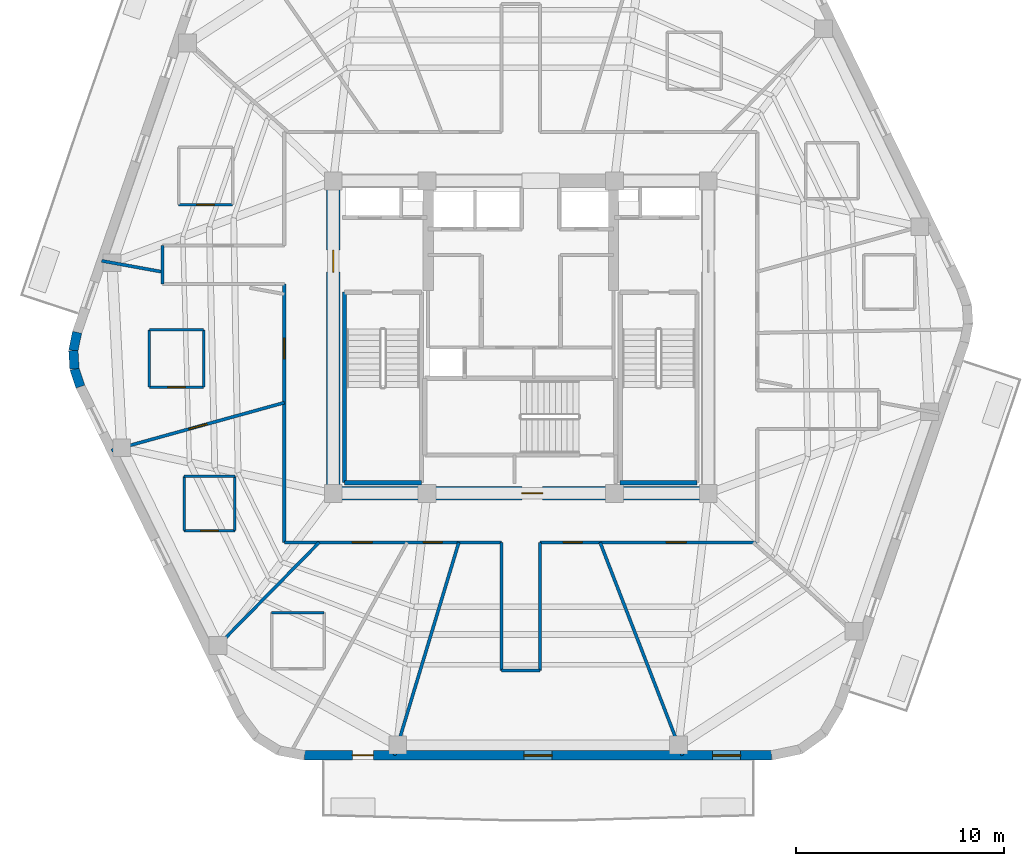
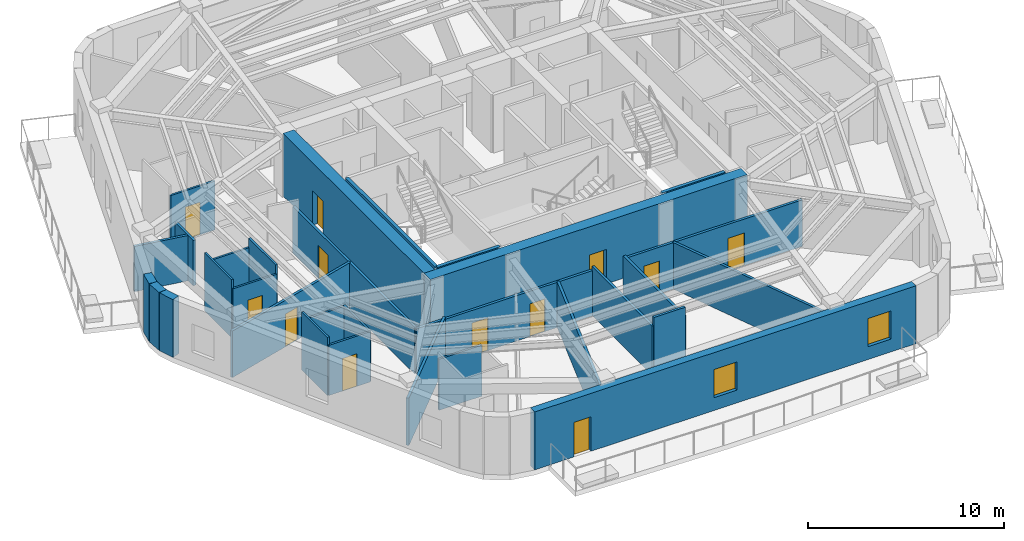
# One storey, part 3 of 9: 31 walls, 12 doors, 2 windows, 14 openings.
"""IFC4 building model written with IfcOpenShell, lengths in metres."""

import ifcopenshell
import ifcopenshell.guid

model = None  # the IFC model being written
_history = None  # IfcOwnerHistory: only IFC2X3 demands one
_inside = {}  # id of a spatial element -> (the spatial element, [elements in it])
_under = {}  # id of a project, library or spatial element -> (it, [spatial elements below it])
_declared = {}  # id of a project -> (the project, [libraries it declares])
_typed = {}  # id of a type object -> (the type object, [elements of that type])
_made_of = {}  # id of a material, layer set ... -> (it, [elements and type objects made of it])


def new_model(schema):
    """Start an empty IFC model of exactly this schema.

    Asked for "IFC4X3", IfcOpenShell would pick the latest addendum, in which some entities
    have other attributes; the version numbers below select the first issue.
    IFC2X3 requires an IfcOwnerHistory on every rooted entity: one is made here for all.
    """
    global model, _history
    if schema == "IFC4X3":
        model = ifcopenshell.file(schema_version=(4, 3, 0, 0))
    else:
        model = ifcopenshell.file(schema=schema)
    _inside.clear()
    _under.clear()
    _declared.clear()
    _typed.clear()
    _made_of.clear()
    _history = None
    if model.schema == "IFC2X3":
        org = make("IfcOrganization", Name="unknown")
        user = make(
            "IfcPersonAndOrganization",
            ThePerson=make("IfcPerson", FamilyName="unknown"),
            TheOrganization=org,
        )
        app = make(
            "IfcApplication",
            ApplicationDeveloper=org,
            Version="unknown",
            ApplicationFullName="unknown",
            ApplicationIdentifier="unknown",
        )
        _history = make(
            "IfcOwnerHistory",
            OwningUser=user,
            OwningApplication=app,
            ChangeAction="ADDED",
            CreationDate=0,
        )
    return model


def make(cls, **values):
    """One entity of the class cls with the attributes given. An attribute that is None is left unset."""
    return model.create_entity(
        cls, **{name: value for name, value in values.items() if value is not None}
    )


def rooted(cls, **values):
    """An entity with a GlobalId (a new one), such as an element, a storey or a relation."""
    return make(cls, GlobalId=ifcopenshell.guid.new(), OwnerHistory=_history, **values)


def si_unit(unit_type, name, prefix=None):
    """IfcSIUnit, for example si_unit("LENGTHUNIT", "METRE", prefix="MILLI")."""
    return make("IfcSIUnit", UnitType=unit_type, Prefix=prefix, Name=name)


def assignment(units):
    """IfcUnitAssignment: the units of a project."""
    return None if units is None else make("IfcUnitAssignment", Units=units)


def point(xyz):
    """IfcCartesianPoint."""
    return None if xyz is None else make("IfcCartesianPoint", Coordinates=xyz)


def direction(xyz):
    """IfcDirection."""
    return None if xyz is None else make("IfcDirection", DirectionRatios=xyz)


def frame(location, z_axis=None, x_axis=None):
    """IfcAxis2Placement3D, a coordinate frame: its origin and axes. An axis left out is left unset."""
    return make(
        "IfcAxis2Placement3D",
        Location=point(location),
        Axis=direction(z_axis),
        RefDirection=direction(x_axis),
    )


def frame_2d(location, x_axis=None):
    """IfcAxis2Placement2D, a coordinate frame in the plane: its origin and x axis."""
    return make(
        "IfcAxis2Placement2D", Location=point(location), RefDirection=direction(x_axis)
    )


def origin():
    """The frame at (0, 0, 0) with its axes left unset."""
    return frame((0.0, 0.0, 0.0))


def place(relative_to, where):
    """IfcLocalPlacement: puts the frame where relative to a parent placement (None: the world)."""
    return make(
        "IfcLocalPlacement", PlacementRelTo=relative_to, RelativePlacement=where
    )


def context(
    kind, dimensions, precision=None, world=None, true_north=None, identifier=None
):
    """IfcGeometricRepresentationContext, for example the 3D "Model" context."""
    return make(
        "IfcGeometricRepresentationContext",
        ContextIdentifier=identifier,
        ContextType=kind,
        CoordinateSpaceDimension=dimensions,
        Precision=precision,
        WorldCoordinateSystem=world,
        TrueNorth=true_north,
    )


def subcontext(parent, identifier, kind, view, scale=None):
    """IfcGeometricRepresentationSubContext, for example "Body" below "Model"."""
    return make(
        "IfcGeometricRepresentationSubContext",
        ContextIdentifier=identifier,
        ContextType=kind,
        ParentContext=parent,
        TargetScale=scale,
        TargetView=view,
    )


def project(units=None, contexts=None):
    """IfcProject with its units and contexts."""
    return rooted(
        "IfcProject",
        Name="project",
        RepresentationContexts=contexts,
        UnitsInContext=assignment(units),
    )


def spatial(cls, under=None, at=None, **own):
    """A site, building, storey or space (cls), placed at a placement, below another one or the project."""
    s = rooted(cls, ObjectPlacement=at, **own)
    if under is not None:
        _under.setdefault(under.id(), (under, []))[1].append(s)
    return s


def profile(cls, at=None, kind="AREA", **sizes):
    """A parametric profile (cls). Its sizes go by their IFC names, for example OverallWidth=200.0."""
    return make(cls, ProfileType=kind, Position=at, **sizes)


def rectangle(**sizes):
    """IfcRectangleProfileDef."""
    return profile("IfcRectangleProfileDef", **sizes)


def extrude(swept, where, along, depth):
    """IfcExtrudedAreaSolid: the profile swept, set in the frame where, extruded along a direction by depth."""
    return make(
        "IfcExtrudedAreaSolid",
        SweptArea=swept,
        Position=where,
        ExtrudedDirection=direction(along),
        Depth=depth,
    )


def shape(context_of_items, identifier, shape_type, items):
    """IfcShapeRepresentation: the items that make up one representation, for example the "Body"."""
    return make(
        "IfcShapeRepresentation",
        ContextOfItems=context_of_items,
        RepresentationIdentifier=identifier,
        RepresentationType=shape_type,
        Items=items,
    )


def material(Name=None, Category=None):
    """IfcMaterial."""
    return make("IfcMaterial", Name=Name, Category=Category)


def layer(
    of_material, thickness, ventilated=None, Name=None, Category=None, Priority=None
):
    """IfcMaterialLayer: one layer of a wall or slab, of a material (None: an air gap)."""
    return make(
        "IfcMaterialLayer",
        Material=of_material,
        LayerThickness=thickness,
        IsVentilated=ventilated,
        Name=Name,
        Category=Category,
        Priority=Priority,
    )


def layer_set(layers, Name=None):
    """IfcMaterialLayerSet."""
    return make("IfcMaterialLayerSet", MaterialLayers=layers, LayerSetName=Name)


def made_of(thing, what):
    """Note that an element or type object is made of a material, layer set ...; save() writes the relation."""
    if what is not None:
        _made_of.setdefault(what.id(), (what, []))[1].append(thing)
    return thing


def type_object(cls, material=None, **own):
    """A type object (cls), such as IfcWallType, which elements share."""
    return made_of(rooted(cls, **own), material)


def element(
    cls,
    number,
    at=None,
    inside=None,
    cuts=None,
    type_object=None,
    material=None,
    context=None,
    identifier="Body",
    shape_type=None,
    held_by="IfcProductDefinitionShape",
    body=None,
    shapes=None,
    **own,
):
    """One element of the class cls, such as IfcWall. Its Tag is "e" and its number.

    at: its placement. inside: the storey or other place that contains it. cuts: it is an
    opening in that element (IfcRelVoidsElement). A single representation is given by context,
    identifier, shape_type and body (its items); several are given by shapes. held_by: the class
    of the entity that holds the representations. save() writes the other relations.
    """
    e = rooted(cls, Tag="e%d" % number, ObjectPlacement=at, **own)
    if body is not None:
        shapes = [shape(context, identifier, shape_type, body)]
    if shapes is not None:
        e.Representation = make(held_by, Representations=shapes)
    if inside is not None:
        _inside.setdefault(inside.id(), (inside, []))[1].append(e)
    if cuts is not None:
        rooted(
            "IfcRelVoidsElement", RelatingBuildingElement=cuts, RelatedOpeningElement=e
        )
    if type_object is not None:
        _typed.setdefault(type_object.id(), (type_object, []))[1].append(e)
    return made_of(e, material)


def fill(opening, filler):
    """IfcRelFillsElement: the door or window that sits in an opening."""
    return rooted(
        "IfcRelFillsElement",
        RelatingOpeningElement=opening,
        RelatedBuildingElement=filler,
    )


def aggregate(whole, parts):
    """IfcRelAggregates: a whole, such as a stair, and the parts it consists of."""
    return rooted("IfcRelAggregates", RelatingObject=whole, RelatedObjects=parts)


def save(model, path):
    """Write the relations noted so far, then the file.

    IfcRelAggregates (storeys below a building ...), IfcRelContainedInSpatialStructure (elements
    in a storey), IfcRelDefinesByType, IfcRelAssociatesMaterial and IfcRelDeclares: one each for
    every whole, place, type object, material and project.
    """
    for whole, parts in _under.values():
        aggregate(whole, parts)
    for where, things in _inside.values():
        rooted(
            "IfcRelContainedInSpatialStructure",
            RelatedElements=things,
            RelatingStructure=where,
        )
    for kind, things in _typed.values():
        rooted("IfcRelDefinesByType", RelatedObjects=things, RelatingType=kind)
    for what, things in _made_of.values():
        rooted("IfcRelAssociatesMaterial", RelatedObjects=things, RelatingMaterial=what)
    for by, libraries in _declared.values():
        rooted("IfcRelDeclares", RelatingContext=by, RelatedDefinitions=libraries)
    model.write(path)


model = new_model("IFC4")

# Units and contexts
model_context = context("Model", 3, precision=1e-05, world=origin(), true_north=direction((0.0, 1.0)))
body_context = subcontext(model_context, "Body", "Model", "MODEL_VIEW")
ifc_project = project(units=[si_unit("LENGTHUNIT", "METRE"), si_unit("AREAUNIT", "SQUARE_METRE"), si_unit("VOLUMEUNIT", "CUBIC_METRE"), si_unit("PLANEANGLEUNIT", "RADIAN"), si_unit("MASSUNIT", "GRAM", prefix="KILO")], contexts=[model_context])

# Site, building, storey
site_placement = place(None, origin())
site = spatial("IfcSite", under=ifc_project, at=site_placement, CompositionType="ELEMENT")
building_placement = place(site_placement, origin())
building = spatial("IfcBuilding", under=site, at=building_placement, Name="Kilnhurst Terrace Hotel", CompositionType="ELEMENT")
storey_placement = place(building_placement, frame((0.0, 0.0, 297.60009765625)))
storey = spatial("IfcBuildingStorey", under=building, at=storey_placement, Name="L74", CompositionType="ELEMENT", Elevation=297.60009765625)

# Walls
ifc_material_1 = material(Name="Precast concrete C40/50", Category="concrete")
ifc_layer_1 = layer(ifc_material_1, 0.449951171875, Name="Precast concrete C40/50")
ifc_layer_set_1 = layer_set([ifc_layer_1], Name="Precast concrete C40/50")
wall_type_1 = type_object("IfcWallType", Name="WL-BRK-450", PredefinedType="SOLIDWALL", material=ifc_layer_set_1)
wall_1_placement = place(storey_placement, frame((-21.297607421875, 0.2333984375, 0.0), z_axis=(0.0, 0.0, 1.0), x_axis=(-0.199158176661, -0.979967356941, 0.0)))
element("IfcWall", 1, at=wall_1_placement, inside=storey, type_object=wall_type_1, Name="L74 Rounded Corner Brick Wall C6.1", PredefinedType="SOLIDWALL", context=body_context, shape_type="SweptSolid", body=[
    extrude(rectangle(XDim=0.894775390625, YDim=0.449951171875, at=frame_2d((0.447265625, 0.0))), origin(), (0.0, 0.0, 1.0), 3.599853515625),
])
wall_2_placement = place(storey_placement, frame((-21.475830078125, -0.6435546875, 0.0), z_axis=(0.0, 0.0, 1.0), x_axis=(0.061031097918, -0.998135865044, 0.0)))
element("IfcWall", 2, at=wall_2_placement, inside=storey, type_object=wall_type_1, Name="L74 Rounded Corner Brick Wall C6.2", PredefinedType="SOLIDWALL", context=body_context, shape_type="SweptSolid", body=[
    extrude(rectangle(XDim=0.880126953125, YDim=0.449951171875, at=frame_2d((0.43994140625, 0.0))), origin(), (0.0, 0.0, 1.0), 3.599853515625),
])
wall_3_placement = place(storey_placement, frame((-21.422119140625, -1.52197265625, 0.0), z_axis=(0.0, 0.0, 1.0), x_axis=(0.316964162323, -0.94843751497, 0.0)))
element("IfcWall", 3, at=wall_3_placement, inside=storey, type_object=wall_type_1, Name="L74 Rounded Corner Brick Wall C6.3", PredefinedType="SOLIDWALL", context=body_context, shape_type="SweptSolid", body=[
    extrude(rectangle(XDim=0.89501953125, YDim=0.449951171875, at=frame_2d((0.447509765625, 0.0))), origin(), (0.0, 0.0, 1.0), 3.599853515625),
])

# Wall, openings, door, windows
wall_4_placement = place(storey_placement, frame((-10.37890625, -20.074951171875, 0.0), z_axis=(0.0, 0.0, 1.0), x_axis=(1.0, 0.0, 0.0)))
wall_4 = element("IfcWall", 4, at=wall_4_placement, inside=storey, type_object=wall_type_1, Name="L74 Exterior Brick Facade Wall F1", PredefinedType="SOLIDWALL", context=body_context, shape_type="SweptSolid", body=[
    extrude(rectangle(XDim=22.417236328125, YDim=0.449951171875, at=frame_2d((11.20849609375, 0.0))), origin(), (0.0, 0.0, 1.0), 3.599853515625),
])
opening_1_placement = place(wall_4_placement, frame((2.302001953125, 0.0, 0.0)))
opening_1 = element("IfcOpeningElement", 5, at=opening_1_placement, cuts=wall_4, Name="Opening BD-1000", PredefinedType="OPENING", context=body_context, shape_type="SweptSolid", body=[
    extrude(rectangle(XDim=1.0, YDim=2.14990234375, at=frame_2d((0.5, 1.074951171875))), frame((0.0, 0.23486328125, 0.0), z_axis=(0.0, -1.0, 0.0), x_axis=(1.0, 0.0, 0.0)), (0.0, 0.0, 1.0), 0.469970703125),
])
opening_2_placement = place(wall_4_placement, frame((10.533935546875, 0.0, 0.800048828125)))
opening_2 = element("IfcOpeningElement", 6, at=opening_2_placement, cuts=wall_4, Name="Opening W-06", PredefinedType="OPENING", context=body_context, shape_type="SweptSolid", body=[
    extrude(rectangle(XDim=1.35009765625, YDim=1.75, at=frame_2d((0.675048828125, 0.875))), frame((0.0, 0.23486328125, 0.0), z_axis=(0.0, -1.0, 0.0), x_axis=(1.0, 0.0, 0.0)), (0.0, 0.0, 1.0), 0.469970703125),
])
opening_3_placement = place(wall_4_placement, frame((19.5869140625, 0.0, 0.800048828125)))
opening_3 = element("IfcOpeningElement", 7, at=opening_3_placement, cuts=wall_4, Name="Opening W-06", PredefinedType="OPENING", context=body_context, shape_type="SweptSolid", body=[
    extrude(rectangle(XDim=1.35009765625, YDim=1.75, at=frame_2d((0.675048828125, 0.875))), frame((0.0, 0.23486328125, 0.0), z_axis=(0.0, -1.0, 0.0), x_axis=(1.0, 0.0, 0.0)), (0.0, 0.0, 1.0), 0.469970703125),
])
ifc_material_2 = material(Name="Thermally Broken Bronze Aluminium Alloy 6063-T6 and Laminated Glass", Category="aluminium")
door_type_1 = type_object("IfcDoorType", Name="DR-EXT-BAL-1000", OperationType="NOTDEFINED", PredefinedType="DOOR", material=ifc_material_2)
door_1_placement = place(opening_1_placement, origin())
door_1 = element("IfcDoor", 8, at=door_1_placement, inside=storey, type_object=door_type_1, Name="L74 Planted Balcony Door BAL-L1A", OperationType="SINGLE_SWING_LEFT", OverallHeight=2.14990234375, OverallWidth=1.0, PredefinedType="DOOR", context=body_context, shape_type="SweptSolid", body=[
    extrude(rectangle(XDim=1.0, YDim=2.14990234375, at=frame_2d((0.5, 1.074951171875))), frame((0.0, 0.02490234375, 0.0), z_axis=(0.0, -1.0, 0.0), x_axis=(1.0, 0.0, 0.0)), (0.0, 0.0, 1.0), 0.050048828125),
])
fill(opening_1, door_1)
ifc_material_3 = material(Name="Thermally Broken Bronze Aluminium Alloy 6063-T6 and Low-E Glass", Category="aluminium")
window_type = type_object("IfcWindowType", Name="WIN-1350X1750", PartitioningType="SINGLE_PANEL", PredefinedType="WINDOW", material=ifc_material_3)
window_1_placement = place(opening_2_placement, origin())
window_1 = element("IfcWindow", 9, at=window_1_placement, inside=storey, type_object=window_type, Name="L74 Deep-Set Masonry Window F1.1", OverallHeight=1.75, OverallWidth=1.35009765625, PartitioningType="SINGLE_PANEL", PredefinedType="WINDOW", context=body_context, shape_type="SweptSolid", body=[
    extrude(rectangle(XDim=1.35009765625, YDim=1.75, at=frame_2d((0.675048828125, 0.875))), frame((0.0, 0.030029296875, 0.0), z_axis=(0.0, -1.0, 0.0), x_axis=(1.0, 0.0, 0.0)), (0.0, 0.0, 1.0), 0.06005859375),
])
fill(opening_2, window_1)
window_2_placement = place(opening_3_placement, origin())
window_2 = element("IfcWindow", 10, at=window_2_placement, inside=storey, type_object=window_type, Name="L74 Deep-Set Masonry Window F1.2", OverallHeight=1.75, OverallWidth=1.35009765625, PartitioningType="SINGLE_PANEL", PredefinedType="WINDOW", context=body_context, shape_type="SweptSolid", body=[
    extrude(rectangle(XDim=1.35009765625, YDim=1.75, at=frame_2d((0.675048828125, 0.875))), frame((0.0, 0.030029296875, 0.0), z_axis=(0.0, -1.0, 0.0), x_axis=(1.0, 0.0, 0.0)), (0.0, 0.0, 1.0), 0.06005859375),
])
fill(opening_3, window_2)

# Wall, opening, door
ifc_material_4 = material(Name="Acoustic Double-Gypsum Corridor Partition Assembly")
ifc_layer_2 = layer(ifc_material_4, 0.14990234375, Name="Acoustic Double-Gypsum Corridor Partition Assembly")
ifc_layer_set_2 = layer_set([ifc_layer_2], Name="Acoustic Double-Gypsum Corridor Partition Assembly")
wall_type_2 = type_object("IfcWallType", Name="WL-COR-150", PredefinedType="PARTITIONING", material=ifc_layer_set_2)
wall_5_placement = place(storey_placement, frame((-11.35009765625, -9.85009765625, 0.0), z_axis=(0.0, 0.0, 1.0), x_axis=(0.0, 1.0, 0.0)))
wall_5 = element("IfcWall", 11, at=wall_5_placement, inside=storey, type_object=wall_type_2, Name="L74 Interior Wall WL-L74-COR-01", PredefinedType="PARTITIONING", context=body_context, shape_type="SweptSolid", body=[
    extrude(rectangle(XDim=12.400146484375, YDim=0.14990234375, at=frame_2d((6.2001953125, 0.0))), origin(), (0.0, 0.0, 1.0), 2.89404296875),
])
opening_4_placement = place(wall_5_placement, frame((8.81005859375, 0.0, 0.0)))
opening_4 = element("IfcOpeningElement", 12, at=opening_4_placement, cuts=wall_5, Name="Opening D-60A", PredefinedType="OPENING", context=body_context, shape_type="SweptSolid", body=[
    extrude(rectangle(XDim=1.0, YDim=2.030029296875, at=frame_2d((0.5, 1.01513671875))), frame((0.0, 0.0849609375, 0.0), z_axis=(0.0, -1.0, 0.0), x_axis=(1.0, 0.0, 0.0)), (0.0, 0.0, 1.0), 0.169921875),
])
ifc_material_5 = material(Name="Acoustic Walnut Veneer Solid-Core Fire Door")
door_type_2 = type_object("IfcDoorType", Name="DR-FD60-1000", OperationType="NOTDEFINED", PredefinedType="DOOR", material=ifc_material_5)
door_2_placement = place(opening_4_placement, origin())
door_2 = element("IfcDoor", 13, at=door_2_placement, inside=storey, type_object=door_type_2, Name="L74 Sky Residence Entry Door 8", OperationType="SINGLE_SWING_RIGHT", OverallHeight=2.030029296875, OverallWidth=1.0, PredefinedType="DOOR", context=body_context, shape_type="SweptSolid", body=[
    extrude(rectangle(XDim=1.0, YDim=2.030029296875, at=frame_2d((0.5, 1.01513671875))), frame((0.0, 0.02490234375, 0.0), z_axis=(0.0, -1.0, 0.0), x_axis=(1.0, 0.0, 0.0)), (0.0, 0.0, 1.0), 0.050048828125),
])
fill(opening_4, door_2)

# Wall
wall_6_placement = place(storey_placement, frame((-17.199951171875, 2.550048828125, 0.0), z_axis=(0.0, 0.0, 1.0), x_axis=(0.0, 1.0, 0.0)))
element("IfcWall", 14, at=wall_6_placement, inside=storey, type_object=wall_type_2, Name="L74 Interior Wall WL-L74-COR-03", PredefinedType="PARTITIONING", context=body_context, shape_type="SweptSolid", body=[
    extrude(rectangle(XDim=1.849853515625, YDim=0.14990234375, at=frame_2d((0.9248046875, 0.0))), origin(), (0.0, 0.0, 1.0), 2.81640625),
])

# Wall, openings, doors
wall_7_placement = place(storey_placement, frame((11.35009765625, -9.85009765625, 0.0), z_axis=(0.0, 0.0, 1.0), x_axis=(-1.0, 0.0, 0.0)))
wall_7 = element("IfcWall", 15, at=wall_7_placement, inside=storey, type_object=wall_type_2, Name="L74 Interior Wall WL-L74-COR-16", PredefinedType="PARTITIONING", context=body_context, shape_type="SweptSolid", body=[
    extrude(rectangle(XDim=10.43017578125, YDim=0.14990234375, at=frame_2d((5.215087890625, 0.0))), origin(), (0.0, 0.0, 1.0), 2.89404296875),
])
opening_5_placement = place(wall_7_placement, frame((8.406982421875, 0.0, 0.0)))
opening_5 = element("IfcOpeningElement", 16, at=opening_5_placement, cuts=wall_7, Name="Opening D-60C", PredefinedType="OPENING", context=body_context, shape_type="SweptSolid", body=[
    extrude(rectangle(XDim=0.89990234375, YDim=2.030029296875, at=frame_2d((0.449951171875, 1.01513671875))), frame((0.0, 0.0849609375, 0.0), z_axis=(0.0, -1.0, 0.0), x_axis=(1.0, 0.0, 0.0)), (0.0, 0.0, 1.0), 0.169921875),
])
opening_6_placement = place(wall_7_placement, frame((3.416015625, 0.0, 0.0)))
opening_6 = element("IfcOpeningElement", 17, at=opening_6_placement, cuts=wall_7, Name="Opening D-60B", PredefinedType="OPENING", context=body_context, shape_type="SweptSolid", body=[
    extrude(rectangle(XDim=0.949951171875, YDim=2.030029296875, at=frame_2d((0.47509765625, 1.01513671875))), frame((0.0, 0.0849609375, 0.0), z_axis=(0.0, -1.0, 0.0), x_axis=(1.0, 0.0, 0.0)), (0.0, 0.0, 1.0), 0.169921875),
])
ifc_material_6 = material(Name="Painted Solid-Core Service Fire Door")
door_type_3 = type_object("IfcDoorType", Name="DR-FD60-900", OperationType="NOTDEFINED", PredefinedType="DOOR", material=ifc_material_6)
door_3_placement = place(opening_5_placement, origin())
door_3 = element("IfcDoor", 18, at=door_3_placement, inside=storey, type_object=door_type_3, Name="L74 Wellness Consultation Room Door 12", OperationType="SINGLE_SWING_RIGHT", OverallHeight=2.030029296875, OverallWidth=0.89990234375, PredefinedType="DOOR", context=body_context, shape_type="SweptSolid", body=[
    extrude(rectangle(XDim=0.89990234375, YDim=2.030029296875, at=frame_2d((0.449951171875, 1.01513671875))), frame((0.0, 0.02490234375, 0.0), z_axis=(0.0, -1.0, 0.0), x_axis=(1.0, 0.0, 0.0)), (0.0, 0.0, 1.0), 0.050048828125),
])
fill(opening_5, door_3)
door_type_4 = type_object("IfcDoorType", Name="DR-FD60-950", OperationType="NOTDEFINED", PredefinedType="DOOR", material=ifc_material_5)
door_4_placement = place(opening_6_placement, origin())
door_4 = element("IfcDoor", 19, at=door_4_placement, inside=storey, type_object=door_type_4, Name="L74 Summit Horizon Club Lounge Door", OperationType="SINGLE_SWING_LEFT", OverallHeight=2.030029296875, OverallWidth=0.949951171875, PredefinedType="DOOR", context=body_context, shape_type="SweptSolid", body=[
    extrude(rectangle(XDim=0.949951171875, YDim=2.030029296875, at=frame_2d((0.47509765625, 1.01513671875))), frame((0.0, 0.02490234375, 0.0), z_axis=(0.0, -1.0, 0.0), x_axis=(1.0, 0.0, 0.0)), (0.0, 0.0, 1.0), 0.050048828125),
])
fill(opening_6, door_4)

# Walls
wall_8_placement = place(storey_placement, frame((0.919921875, -9.85009765625, 0.0), z_axis=(0.0, 0.0, 1.0), x_axis=(0.0, -1.0, 0.0)))
element("IfcWall", 20, at=wall_8_placement, inside=storey, type_object=wall_type_2, Name="L74 Interior Wall WL-L74-COR-17", PredefinedType="PARTITIONING", context=body_context, shape_type="SweptSolid", body=[
    extrude(rectangle(XDim=6.14990234375, YDim=0.14990234375, at=frame_2d((3.074951171875, 0.0))), origin(), (0.0, 0.0, 1.0), 3.040283203125),
])
wall_9_placement = place(storey_placement, frame((0.919921875, -16.0, 0.0), z_axis=(0.0, 0.0, 1.0), x_axis=(-1.0, 0.0, 0.0)))
element("IfcWall", 21, at=wall_9_placement, inside=storey, type_object=wall_type_2, Name="L74 Interior Wall WL-L74-COR-18", PredefinedType="PARTITIONING", context=body_context, shape_type="SweptSolid", body=[
    extrude(rectangle(XDim=1.83984375, YDim=0.14990234375, at=frame_2d((0.919921875, 0.0))), origin(), (0.0, 0.0, 1.0), 3.599853515625),
])
wall_10_placement = place(storey_placement, frame((-0.919921875, -16.0, 0.0), z_axis=(0.0, 0.0, 1.0), x_axis=(0.0, 1.0, 0.0)))
element("IfcWall", 22, at=wall_10_placement, inside=storey, type_object=wall_type_2, Name="L74 Interior Wall WL-L74-COR-19", PredefinedType="PARTITIONING", context=body_context, shape_type="SweptSolid", body=[
    extrude(rectangle(XDim=6.14990234375, YDim=0.14990234375, at=frame_2d((3.074951171875, 0.0))), origin(), (0.0, 0.0, 1.0), 3.040283203125),
])

# Wall, openings, doors
wall_11_placement = place(storey_placement, frame((-0.919921875, -9.85009765625, 0.0), z_axis=(0.0, 0.0, 1.0), x_axis=(-1.0, 0.0, 0.0)))
wall_11 = element("IfcWall", 23, at=wall_11_placement, inside=storey, type_object=wall_type_2, Name="L74 Interior Wall WL-L74-COR-20", PredefinedType="PARTITIONING", context=body_context, shape_type="SweptSolid", body=[
    extrude(rectangle(XDim=10.43017578125, YDim=0.14990234375, at=frame_2d((5.215087890625, 0.0))), origin(), (0.0, 0.0, 1.0), 2.81640625),
])
opening_7_placement = place(wall_11_placement, frame((6.216064453125, 0.0, 0.0)))
opening_7 = element("IfcOpeningElement", 24, at=opening_7_placement, cuts=wall_11, Name="Opening D-60B", PredefinedType="OPENING", context=body_context, shape_type="SweptSolid", body=[
    extrude(rectangle(XDim=0.949951171875, YDim=2.030029296875, at=frame_2d((0.47509765625, 1.01513671875))), frame((0.0, 0.0849609375, 0.0), z_axis=(0.0, -1.0, 0.0), x_axis=(1.0, 0.0, 0.0)), (0.0, 0.0, 1.0), 0.169921875),
])
opening_8_placement = place(wall_11_placement, frame((2.860107421875, 0.0, 0.0)))
opening_8 = element("IfcOpeningElement", 25, at=opening_8_placement, cuts=wall_11, Name="Opening D-60C", PredefinedType="OPENING", context=body_context, shape_type="SweptSolid", body=[
    extrude(rectangle(XDim=0.89990234375, YDim=2.030029296875, at=frame_2d((0.449951171875, 1.01513671875))), frame((0.0, 0.0849609375, 0.0), z_axis=(0.0, -1.0, 0.0), x_axis=(1.0, 0.0, 0.0)), (0.0, 0.0, 1.0), 0.169921875),
])
door_5_placement = place(opening_8_placement, origin())
door_5 = element("IfcDoor", 26, at=door_5_placement, inside=storey, type_object=door_type_3, Name="L74 Private Meeting Salon Door 11", OperationType="SINGLE_SWING_LEFT", OverallHeight=2.030029296875, OverallWidth=0.89990234375, PredefinedType="DOOR", context=body_context, shape_type="SweptSolid", body=[
    extrude(rectangle(XDim=0.89990234375, YDim=2.030029296875, at=frame_2d((0.449951171875, 1.01513671875))), frame((0.0, 0.02490234375, 0.0), z_axis=(0.0, -1.0, 0.0), x_axis=(1.0, 0.0, 0.0)), (0.0, 0.0, 1.0), 0.050048828125),
])
fill(opening_8, door_5)
door_6_placement = place(opening_7_placement, origin())
door_6 = element("IfcDoor", 27, at=door_6_placement, inside=storey, type_object=door_type_4, Name="L74 Guest Room Entry Door 10", OperationType="SINGLE_SWING_RIGHT", OverallHeight=2.030029296875, OverallWidth=0.949951171875, PredefinedType="DOOR", context=body_context, shape_type="SweptSolid", body=[
    extrude(rectangle(XDim=0.949951171875, YDim=2.030029296875, at=frame_2d((0.47509765625, 1.01513671875))), frame((0.0, 0.02490234375, 0.0), z_axis=(0.0, -1.0, 0.0), x_axis=(1.0, 0.0, 0.0)), (0.0, 0.0, 1.0), 0.050048828125),
])
fill(opening_7, door_6)

# Wall, opening, door
ifc_material_7 = material(Name="Concrete C60/75", Category="concrete")
ifc_layer_3 = layer(ifc_material_7, 0.64990234375, Name="Concrete C60/75")
ifc_layer_set_3 = layer_set([ifc_layer_3], Name="Concrete C60/75")
wall_type_3 = type_object("IfcWallType", Name="WL-CORE-650", PredefinedType="SHEAR", material=ifc_layer_set_3)
wall_12_placement = place(storey_placement, frame((-9.324951171875, -7.5, 0.0), z_axis=(0.0, 0.0, 1.0), x_axis=(1.0, 0.0, 0.0)))
wall_12 = element("IfcWall", 28, at=wall_12_placement, inside=storey, type_object=wall_type_3, Name="L74 Core South Shear Wall", PredefinedType="SHEAR", context=body_context, shape_type="SweptSolid", body=[
    extrude(rectangle(XDim=18.64990234375, YDim=0.64990234375, at=frame_2d((9.324951171875, 0.0))), origin(), (0.0, 0.0, 1.0), 3.89990234375),
])
opening_9_placement = place(wall_12_placement, frame((9.375, 0.0, 0.0)))
opening_9 = element("IfcOpeningElement", 29, at=opening_9_placement, cuts=wall_12, Name="Opening D-90B", PredefinedType="OPENING", context=body_context, shape_type="SweptSolid", body=[
    extrude(rectangle(XDim=1.0, YDim=2.14990234375, at=frame_2d((0.5, 1.074951171875))), frame((0.0, 0.3349609375, 0.0), z_axis=(0.0, -1.0, 0.0), x_axis=(1.0, 0.0, 0.0)), (0.0, 0.0, 1.0), 0.669921875),
])
ifc_material_8 = material(Name="Painted Hollow Metal Steel ASTM A36 Fire Door", Category="steel")
door_type_5 = type_object("IfcDoorType", Name="DR-FD90-1000", OperationType="NOTDEFINED", PredefinedType="DOOR", material=ifc_material_8)
door_7_placement = place(opening_9_placement, origin())
door_7 = element("IfcDoor", 30, at=door_7_placement, inside=storey, type_object=door_type_5, Name="L74 Stair ST-3 Corridor Door", OperationType="SINGLE_SWING_RIGHT", OverallHeight=2.14990234375, OverallWidth=1.0, PredefinedType="DOOR", context=body_context, shape_type="SweptSolid", body=[
    extrude(rectangle(XDim=1.0, YDim=2.14990234375, at=frame_2d((0.5, 1.074951171875))), frame((0.0, 0.02490234375, 0.0), z_axis=(0.0, -1.0, 0.0), x_axis=(1.0, 0.0, 0.0)), (0.0, 0.0, 1.0), 0.050048828125),
])
fill(opening_9, door_7)

wall_13_placement = place(storey_placement, frame((-9.0, -7.175048828125, 0.0), z_axis=(0.0, 0.0, 1.0), x_axis=(0.0, 1.0, 0.0)))
wall_13 = element("IfcWall", 31, at=wall_13_placement, inside=storey, type_object=wall_type_3, Name="L74 Core West Shear Wall", PredefinedType="SHEAR", context=body_context, shape_type="SweptSolid", body=[
    extrude(rectangle(XDim=14.35009765625, YDim=0.64990234375, at=frame_2d((7.175048828125, 0.0))), origin(), (0.0, 0.0, 1.0), 3.89990234375),
])
opening_10_placement = place(wall_13_placement, frame((10.300048828125, 0.0, 0.0)))
opening_10 = element("IfcOpeningElement", 32, at=opening_10_placement, cuts=wall_13, Name="Opening D-90A", PredefinedType="OPENING", context=body_context, shape_type="SweptSolid", body=[
    extrude(rectangle(XDim=1.050048828125, YDim=2.14990234375, at=frame_2d((0.52490234375, 1.074951171875))), frame((0.0, 0.3349609375, 0.0), z_axis=(0.0, -1.0, 0.0), x_axis=(1.0, 0.0, 0.0)), (0.0, 0.0, 1.0), 0.669921875),
])
door_type_6 = type_object("IfcDoorType", Name="DR-FD90-1050", OperationType="NOTDEFINED", PredefinedType="DOOR", material=ifc_material_8)
door_8_placement = place(opening_10_placement, origin())
door_8 = element("IfcDoor", 33, at=door_8_placement, inside=storey, type_object=door_type_6, Name="L74 West Firefighting Lobby Door", OperationType="SINGLE_SWING_RIGHT", OverallHeight=2.14990234375, OverallWidth=1.050048828125, PredefinedType="DOOR", context=body_context, shape_type="SweptSolid", body=[
    extrude(rectangle(XDim=1.050048828125, YDim=2.14990234375, at=frame_2d((0.52490234375, 1.074951171875))), frame((0.0, 0.02490234375, 0.0), z_axis=(0.0, -1.0, 0.0), x_axis=(1.0, 0.0, 0.0)), (0.0, 0.0, 1.0), 0.050048828125),
])
fill(opening_10, door_8)

# Wall
ifc_material_9 = material(Name="STC-58 Acoustic Twin-Frame Guestroom Demising Partition")
ifc_layer_4 = layer(ifc_material_9, 0.14990234375, Name="STC-58 Acoustic Twin-Frame Guestroom Demising Partition")
ifc_layer_set_4 = layer_set([ifc_layer_4], Name="STC-58 Acoustic Twin-Frame Guestroom Demising Partition")
wall_type_4 = type_object("IfcWallType", Name="WL-DEM-150", PredefinedType="PARTITIONING", material=ifc_layer_set_4)
wall_14_placement = place(storey_placement, frame((-17.199951171875, 3.132568359375, 0.0), z_axis=(0.0, 0.0, 1.0), x_axis=(-0.983817168797, 0.179175272791, 0.0)))
element("IfcWall", 34, at=wall_14_placement, inside=storey, type_object=wall_type_4, Name="L74 Interior Wall WL-L74-DEM-COL06-08-2", PredefinedType="PARTITIONING", context=body_context, shape_type="SweptSolid", body=[
    extrude(rectangle(XDim=2.965087890625, YDim=0.14990234375, at=frame_2d((1.482421875, 0.0))), origin(), (0.0, 0.0, 1.0), 2.81640625),
])

# Wall, opening, door
wall_15_placement = place(storey_placement, frame((-11.35009765625, -3.142822265625, 0.0), z_axis=(0.0, 0.0, 1.0), x_axis=(-0.963731818141, -0.266872596386, 0.0)))
wall_15 = element("IfcWall", 35, at=wall_15_placement, inside=storey, type_object=wall_type_4, Name="L74 Interior Wall WL-L74-DEM-COL07-09-1", PredefinedType="PARTITIONING", context=body_context, shape_type="SweptSolid", body=[
    extrude(rectangle(XDim=8.604736328125, YDim=0.14990234375, at=frame_2d((4.30224609375, 0.0))), origin(), (0.0, 0.0, 1.0), 2.89404296875),
])
opening_11_placement = place(wall_15_placement, frame((3.85205078125, 0.0, 0.0)))
opening_11 = element("IfcOpeningElement", 36, at=opening_11_placement, cuts=wall_15, Name="Opening D-09B", PredefinedType="OPENING", context=body_context, shape_type="SweptSolid", body=[
    extrude(rectangle(XDim=0.89990234375, YDim=2.030029296875, at=frame_2d((0.449951171875, 1.01513671875))), frame((0.0, 0.0849609375, 0.0), z_axis=(0.0, -1.0, 0.0), x_axis=(1.0, 0.0, 0.0)), (0.0, 0.0, 1.0), 0.169921875),
])
ifc_material_10 = material(Name="Moisture-Resistant Solid-Core Restroom Door")
door_type_7 = type_object("IfcDoorType", Name="DR-INT-900", OperationType="NOTDEFINED", PredefinedType="DOOR", material=ifc_material_10)
door_9_placement = place(opening_11_placement, origin())
door_9 = element("IfcDoor", 37, at=door_9_placement, inside=storey, type_object=door_type_7, Name="L74 Sky Residence Bedroom Door 8", OperationType="SINGLE_SWING_RIGHT", OverallHeight=2.030029296875, OverallWidth=0.89990234375, PredefinedType="DOOR", context=body_context, shape_type="SweptSolid", body=[
    extrude(rectangle(XDim=0.89990234375, YDim=2.030029296875, at=frame_2d((0.449951171875, 1.01513671875))), frame((0.0, 0.02490234375, 0.0), z_axis=(0.0, -1.0, 0.0), x_axis=(1.0, 0.0, 0.0)), (0.0, 0.0, 1.0), 0.050048828125),
])
fill(opening_11, door_9)

# Walls
wall_16_placement = place(storey_placement, frame((-9.67236328125, -9.85009765625, 0.0), z_axis=(0.0, 0.0, 1.0), x_axis=(-0.700629771301, -0.713524998558, 0.0)))
element("IfcWall", 38, at=wall_16_placement, inside=storey, type_object=wall_type_4, Name="L74 Interior Wall WL-L74-DEM-COL08-10-1", PredefinedType="PARTITIONING", context=body_context, shape_type="SweptSolid", body=[
    extrude(rectangle(XDim=7.45947265625, YDim=0.14990234375, at=frame_2d((3.729736328125, 0.0))), origin(), (0.0, 0.0, 1.0), 2.93994140625),
])
wall_17_placement = place(storey_placement, frame((-2.97216796875, -9.85009765625, 0.0), z_axis=(0.0, 0.0, 1.0), x_axis=(-0.288872169679, -0.957367677324, 0.0)))
element("IfcWall", 39, at=wall_17_placement, inside=storey, type_object=wall_type_4, Name="L74 Interior Wall WL-L74-DEM-COL09-12-1", PredefinedType="PARTITIONING", context=body_context, shape_type="SweptSolid", body=[
    extrude(rectangle(XDim=10.68017578125, YDim=0.14990234375, at=frame_2d((5.340087890625, 0.0))), origin(), (0.0, 0.0, 1.0), 2.81640625),
])
wall_18_placement = place(storey_placement, frame((3.8076171875, -9.85009765625, 0.0), z_axis=(0.0, 0.0, 1.0), x_axis=(0.360587327934, -0.932725457427, 0.0)))
element("IfcWall", 40, at=wall_18_placement, inside=storey, type_object=wall_type_4, Name="L74 Interior Wall WL-L74-DEM-COL10-13-1", PredefinedType="PARTITIONING", context=body_context, shape_type="SweptSolid", body=[
    extrude(rectangle(XDim=10.96240234375, YDim=0.14990234375, at=frame_2d((5.481201171875, 0.0))), origin(), (0.0, 0.0, 1.0), 2.89404296875),
])

# Wall, opening, door
ifc_material_11 = material(Name="120 mm Moisture-Resistant Tile-Backed Bathroom Partition")
ifc_layer_5 = layer(ifc_material_11, 0.1201171875, Name="120 mm Moisture-Resistant Tile-Backed Bathroom Partition")
ifc_layer_set_5 = layer_set([ifc_layer_5], Name="120 mm Moisture-Resistant Tile-Backed Bathroom Partition")
wall_type_5 = type_object("IfcWallType", Name="WL-PART-120", PredefinedType="PARTITIONING", material=ifc_layer_set_5)
wall_19_placement = place(storey_placement, frame((-16.427978515625, 6.35888671875, 0.0), z_axis=(0.0, 0.0, 1.0), x_axis=(1.0, 0.0, 0.0)))
wall_19 = element("IfcWall", 41, at=wall_19_placement, inside=storey, type_object=wall_type_5, Name="L74 Interior Wall WL-L74-BTH-07-1", PredefinedType="PARTITIONING", context=body_context, shape_type="SweptSolid", body=[
    extrude(rectangle(XDim=2.60009765625, YDim=0.1201171875, at=frame_2d((1.300048828125, 0.0))), origin(), (0.0, 0.0, 1.0), 3.040283203125),
])
opening_12_placement = place(wall_19_placement, frame((0.875, 0.0, 0.0)))
opening_12 = element("IfcOpeningElement", 42, at=opening_12_placement, cuts=wall_19, Name="Opening D-08A", PredefinedType="OPENING", context=body_context, shape_type="SweptSolid", body=[
    extrude(rectangle(XDim=0.85009765625, YDim=2.030029296875, at=frame_2d((0.425048828125, 1.01513671875))), frame((0.0, 0.070068359375, 0.0), z_axis=(0.0, -1.0, 0.0), x_axis=(1.0, 0.0, 0.0)), (0.0, 0.0, 1.0), 0.14013671875),
])
ifc_material_12 = material(Name="Moisture-Resistant Lacquered En-suite Bathroom Door")
door_type_8 = type_object("IfcDoorType", Name="DR-INT-850", OperationType="NOTDEFINED", PredefinedType="DOOR", material=ifc_material_12)
door_10_placement = place(opening_12_placement, origin())
door_10 = element("IfcDoor", 43, at=door_10_placement, inside=storey, type_object=door_type_8, Name="L74 En-suite Bathroom Door 7", OperationType="SINGLE_SWING_RIGHT", OverallHeight=2.030029296875, OverallWidth=0.85009765625, PredefinedType="DOOR", context=body_context, shape_type="SweptSolid", body=[
    extrude(rectangle(XDim=0.85009765625, YDim=2.030029296875, at=frame_2d((0.425048828125, 1.01513671875))), frame((0.0, 0.02490234375, 0.0), z_axis=(0.0, -1.0, 0.0), x_axis=(1.0, 0.0, 0.0)), (0.0, 0.0, 1.0), 0.050048828125),
])
fill(opening_12, door_10)

wall_20_placement = place(storey_placement, frame((-17.824951171875, -2.39404296875, 0.0), z_axis=(0.0, 0.0, 1.0), x_axis=(1.0, 0.0, 0.0)))
wall_20 = element("IfcWall", 44, at=wall_20_placement, inside=storey, type_object=wall_type_5, Name="L74 Interior Wall WL-L74-KIT-08-1", PredefinedType="PARTITIONING", context=body_context, shape_type="SweptSolid", body=[
    extrude(rectangle(XDim=2.599853515625, YDim=0.1201171875, at=frame_2d((1.2998046875, 0.0))), origin(), (0.0, 0.0, 1.0), 3.040283203125),
])
opening_13_placement = place(wall_20_placement, frame((0.875, 0.0, 0.0)))
opening_13 = element("IfcOpeningElement", 45, at=opening_13_placement, cuts=wall_20, Name="Opening D-08A", PredefinedType="OPENING", context=body_context, shape_type="SweptSolid", body=[
    extrude(rectangle(XDim=0.85009765625, YDim=2.030029296875, at=frame_2d((0.425048828125, 1.01513671875))), frame((0.0, 0.070068359375, 0.0), z_axis=(0.0, -1.0, 0.0), x_axis=(1.0, 0.0, 0.0)), (0.0, 0.0, 1.0), 0.14013671875),
])
door_11_placement = place(opening_13_placement, origin())
door_11 = element("IfcDoor", 46, at=door_11_placement, inside=storey, type_object=door_type_8, Name="L74 Sky Residence Kitchen Door 8", OperationType="SINGLE_SWING_RIGHT", OverallHeight=2.030029296875, OverallWidth=0.85009765625, PredefinedType="DOOR", context=body_context, shape_type="SweptSolid", body=[
    extrude(rectangle(XDim=0.85009765625, YDim=2.030029296875, at=frame_2d((0.425048828125, 1.01513671875))), frame((0.0, 0.02490234375, 0.0), z_axis=(0.0, -1.0, 0.0), x_axis=(1.0, 0.0, 0.0)), (0.0, 0.0, 1.0), 0.050048828125),
])
fill(opening_13, door_11)

# Walls
wall_21_placement = place(storey_placement, frame((-15.22509765625, -2.39404296875, 0.0), z_axis=(0.0, 0.0, 1.0), x_axis=(0.0, 1.0, 0.0)))
element("IfcWall", 47, at=wall_21_placement, inside=storey, type_object=wall_type_5, Name="L74 Interior Wall WL-L74-KIT-08-2", PredefinedType="PARTITIONING", context=body_context, shape_type="SweptSolid", body=[
    extrude(rectangle(XDim=2.75, YDim=0.1201171875, at=frame_2d((1.375, 0.0))), origin(), (0.0, 0.0, 1.0), 3.599853515625),
])
wall_22_placement = place(storey_placement, frame((-15.22509765625, 0.35595703125, 0.0), z_axis=(0.0, 0.0, 1.0), x_axis=(-1.0, 0.0, 0.0)))
element("IfcWall", 48, at=wall_22_placement, inside=storey, type_object=wall_type_5, Name="L74 Interior Wall WL-L74-KIT-08-3", PredefinedType="PARTITIONING", context=body_context, shape_type="SweptSolid", body=[
    extrude(rectangle(XDim=2.599853515625, YDim=0.1201171875, at=frame_2d((1.2998046875, 0.0))), origin(), (0.0, 0.0, 1.0), 3.040283203125),
])
wall_23_placement = place(storey_placement, frame((-17.824951171875, 0.35595703125, 0.0), z_axis=(0.0, 0.0, 1.0), x_axis=(0.0, -1.0, 0.0)))
element("IfcWall", 49, at=wall_23_placement, inside=storey, type_object=wall_type_5, Name="L74 Interior Wall WL-L74-KIT-08-4", PredefinedType="PARTITIONING", context=body_context, shape_type="SweptSolid", body=[
    extrude(rectangle(XDim=2.75, YDim=0.1201171875, at=frame_2d((1.375, 0.0))), origin(), (0.0, 0.0, 1.0), 3.599853515625),
])

# Wall, opening, door
wall_24_placement = place(storey_placement, frame((-16.1630859375, -9.287109375, 0.0), z_axis=(0.0, 0.0, 1.0), x_axis=(1.0, 0.0, 0.0)))
wall_24 = element("IfcWall", 50, at=wall_24_placement, inside=storey, type_object=wall_type_5, Name="L74 Interior Wall WL-L74-RBTH-08-1", PredefinedType="PARTITIONING", context=body_context, shape_type="SweptSolid", body=[
    extrude(rectangle(XDim=2.440185546875, YDim=0.1201171875, at=frame_2d((1.22021484375, 0.0))), origin(), (0.0, 0.0, 1.0), 3.12646484375),
])
opening_14_placement = place(wall_24_placement, frame((0.794921875, 0.0, 0.0)))
opening_14 = element("IfcOpeningElement", 51, at=opening_14_placement, cuts=wall_24, Name="Opening D-08A", PredefinedType="OPENING", context=body_context, shape_type="SweptSolid", body=[
    extrude(rectangle(XDim=0.85009765625, YDim=2.030029296875, at=frame_2d((0.425048828125, 1.01513671875))), frame((0.0, 0.070068359375, 0.0), z_axis=(0.0, -1.0, 0.0), x_axis=(1.0, 0.0, 0.0)), (0.0, 0.0, 1.0), 0.14013671875),
])
door_12_placement = place(opening_14_placement, origin())
door_12 = element("IfcDoor", 52, at=door_12_placement, inside=storey, type_object=door_type_8, Name="L74 Sky Residence Bathroom Door 8", OperationType="SINGLE_SWING_LEFT", OverallHeight=2.030029296875, OverallWidth=0.85009765625, PredefinedType="DOOR", context=body_context, shape_type="SweptSolid", body=[
    extrude(rectangle(XDim=0.85009765625, YDim=2.030029296875, at=frame_2d((0.425048828125, 1.01513671875))), frame((0.0, 0.02490234375, 0.0), z_axis=(0.0, -1.0, 0.0), x_axis=(1.0, 0.0, 0.0)), (0.0, 0.0, 1.0), 0.050048828125),
])
fill(opening_14, door_12)

# Walls
wall_25_placement = place(storey_placement, frame((-13.722900390625, -9.287109375, 0.0), z_axis=(0.0, 0.0, 1.0), x_axis=(0.0, 1.0, 0.0)))
element("IfcWall", 53, at=wall_25_placement, inside=storey, type_object=wall_type_5, Name="L74 Interior Wall WL-L74-RBTH-08-2", PredefinedType="PARTITIONING", context=body_context, shape_type="SweptSolid", body=[
    extrude(rectangle(XDim=2.610107421875, YDim=0.1201171875, at=frame_2d((1.30517578125, 0.0))), origin(), (0.0, 0.0, 1.0), 3.17236328125),
])
wall_26_placement = place(storey_placement, frame((-13.722900390625, -6.677001953125, 0.0), z_axis=(0.0, 0.0, 1.0), x_axis=(-1.0, 0.0, 0.0)))
element("IfcWall", 54, at=wall_26_placement, inside=storey, type_object=wall_type_5, Name="L74 Interior Wall WL-L74-RBTH-08-3", PredefinedType="PARTITIONING", context=body_context, shape_type="SweptSolid", body=[
    extrude(rectangle(XDim=2.440185546875, YDim=0.1201171875, at=frame_2d((1.22021484375, 0.0))), origin(), (0.0, 0.0, 1.0), 3.12646484375),
])
wall_27_placement = place(storey_placement, frame((-16.1630859375, -6.677001953125, 0.0), z_axis=(0.0, 0.0, 1.0), x_axis=(0.0, -1.0, 0.0)))
element("IfcWall", 55, at=wall_27_placement, inside=storey, type_object=wall_type_5, Name="L74 Interior Wall WL-L74-RBTH-08-4", PredefinedType="PARTITIONING", context=body_context, shape_type="SweptSolid", body=[
    extrude(rectangle(XDim=2.610107421875, YDim=0.1201171875, at=frame_2d((1.30517578125, 0.0))), origin(), (0.0, 0.0, 1.0), 3.599853515625),
])
wall_28_placement = place(storey_placement, frame((-9.43896484375, -13.22509765625, 0.0), z_axis=(0.0, 0.0, 1.0), x_axis=(-1.0, 0.0, 0.0)))
element("IfcWall", 56, at=wall_28_placement, inside=storey, type_object=wall_type_5, Name="L74 Interior Wall WL-L74-BTH-10-3", PredefinedType="PARTITIONING", context=body_context, shape_type="SweptSolid", body=[
    extrude(rectangle(XDim=2.52001953125, YDim=0.1201171875, at=frame_2d((1.260009765625, 0.0))), origin(), (0.0, 0.0, 1.0), 3.17236328125),
])
ifc_material_13 = material(Name="Concrete C50/60", Category="concrete")
ifc_layer_6 = layer(ifc_material_13, 0.199951171875, Name="Concrete C50/60")
ifc_layer_set_6 = layer_set([ifc_layer_6], Name="Concrete C50/60")
wall_type_6 = type_object("IfcWallType", Name="WL-STAIR-RC-200", PredefinedType="SHEAR", material=ifc_layer_set_6)
wall_29_placement = place(storey_placement, frame((-8.4580078125, -6.985107421875, 0.0), z_axis=(0.0, 0.0, 1.0), x_axis=(0.0, 1.0, 0.0)))
element("IfcWall", 57, at=wall_29_placement, inside=storey, type_object=wall_type_6, Name="L74 Structural Stair Shaft Wall WL-L74-ST1-W", PredefinedType="SHEAR", context=body_context, shape_type="SweptSolid", body=[
    extrude(rectangle(XDim=9.14306640625, YDim=0.199951171875, at=frame_2d((4.571533203125, 0.0))), origin(), (0.0, 0.0, 1.0), 3.89990234375),
])
for number, where, z_axis, x_axis, name in (
    (58, (-8.4580078125, -6.985107421875, 0.0), (0.0, 0.0, 1.0), (1.0, 0.0, 0.0), "L74 Structural Stair Shaft Wall WL-L74-ST1-S"),
    (59, (4.77197265625, -6.985107421875, 0.0), (0.0, 0.0, 1.0), (1.0, 0.0, 0.0), "L74 Structural Stair Shaft Wall WL-L74-ST2-S"),
):
    element("IfcWall", number, at=place(storey_placement, frame(where, z_axis=z_axis, x_axis=x_axis)), inside=storey, type_object=wall_type_6, Name=name, PredefinedType="SHEAR", context=body_context, shape_type="SweptSolid", body=[
        extrude(rectangle(XDim=3.68603515625, YDim=0.199951171875, at=frame_2d((1.843017578125, 0.0))), origin(), (0.0, 0.0, 1.0), 3.89990234375),
    ])

save(model, "model.ifc")
